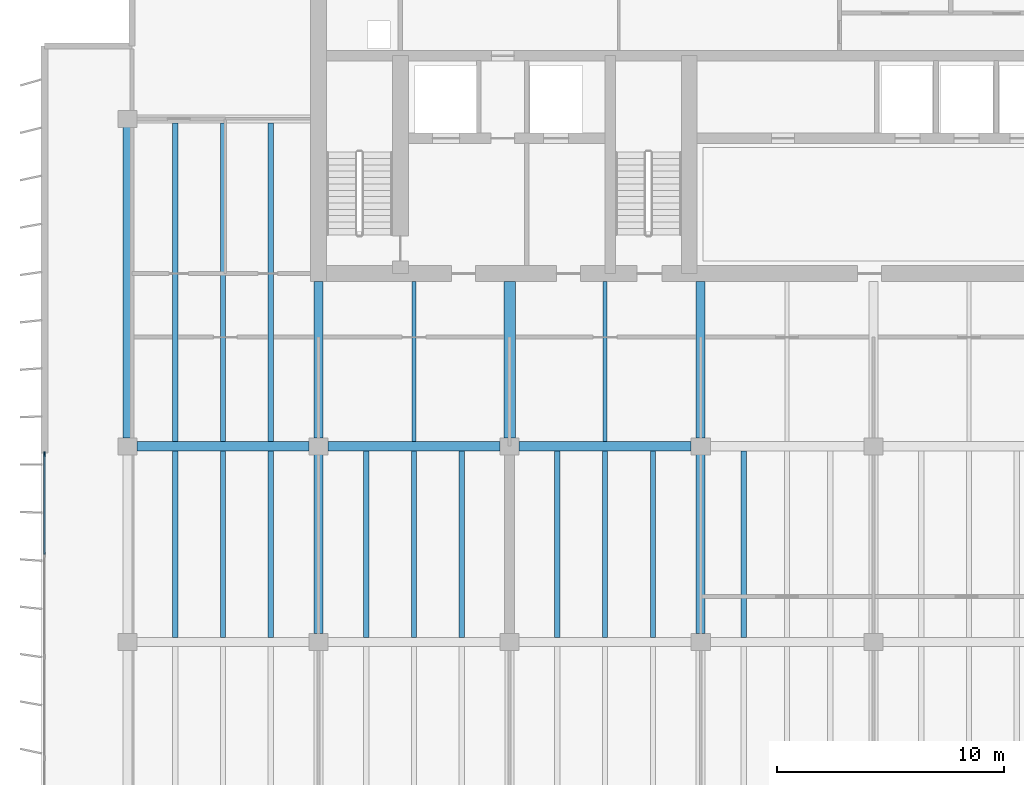
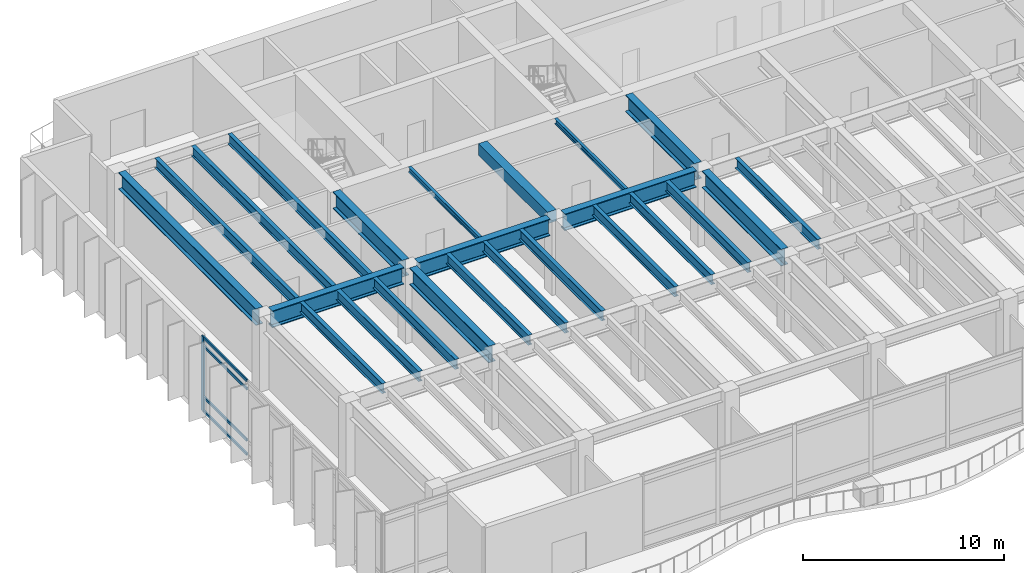
# One storey, part 3 of 15: 24 beams, 5 members, 1 element without a shape of its own.
"""IFC4 building model written with IfcOpenShell, lengths in metres."""

from ifc_helpers import new_model, si_unit, direction, frame, origin, origin_2d, place, context, subcontext, project, spatial, rectangle, i_section, extrude, material, layer, layer_set, material_profile, profile_set, type_object, element, aggregate, save


model = new_model("IFC4")

# Units and contexts
model_context = context("Model", 3, precision=1e-05, world=origin(), true_north=direction((0.0, 1.0)))
body_context = subcontext(model_context, "Body", "Model", "MODEL_VIEW")
ifc_project = project(units=[si_unit("LENGTHUNIT", "METRE"), si_unit("AREAUNIT", "SQUARE_METRE"), si_unit("VOLUMEUNIT", "CUBIC_METRE"), si_unit("PLANEANGLEUNIT", "RADIAN"), si_unit("MASSUNIT", "GRAM", prefix="KILO")], contexts=[model_context])

# Site, building, storey
site_placement = place(None, origin())
site = spatial("IfcSite", under=ifc_project, at=site_placement, CompositionType="ELEMENT")
building_placement = place(site_placement, origin())
building = spatial("IfcBuilding", under=site, at=building_placement, Name="Caelmar Bay Residences", CompositionType="ELEMENT")
storey_placement = place(building_placement, frame((0.0, 0.0, 183.60009765625)))
storey = spatial("IfcBuildingStorey", under=building, at=storey_placement, Name="L51", CompositionType="ELEMENT", Elevation=183.60009765625)

# Beams
ifc_material_1 = material(Name="Steel ASTM A992 Grade 50", Category="steel")
ifc_material_profile_1 = material_profile(ifc_material_1, i_section(OverallWidth=0.404052734375, OverallDepth=1.02099609375, WebThickness=0.025390625, FlangeThickness=0.0458984375, FilletRadius=0.02294921875, at=origin_2d()), Name="W40X324")
ifc_profile_set_1 = profile_set([ifc_material_profile_1], Name="Steel ASTM A992 Grade 50")
beam_type_1 = type_object("IfcBeamType", Name="BM-GRD-W40X324", PredefinedType="BEAM", material=ifc_profile_set_1)
beam_1_placement = place(storey_placement, frame((10.31494140625, 29.39990234375, 4.039306640625), z_axis=(1.0, 0.0, 0.0), x_axis=(0.0, 1.0, 0.0)))
element("IfcBeam", 1, at=beam_1_placement, inside=storey, type_object=beam_type_1, Name="L51 East-West Girder Y=29.40 (9.9-18.3)", PredefinedType="BEAM", context=body_context, shape_type="SweptSolid", body=[
    extrude(i_section(OverallWidth=0.404052734375, OverallDepth=1.02099609375, WebThickness=0.025390625, FlangeThickness=0.0458984375, FilletRadius=0.02294921875, at=origin_2d()), origin(), (0.0, 0.0, 1.0), 7.570068359375),
])
beam_2_placement = place(storey_placement, frame((18.715087890625, 29.39990234375, 4.039306640625), z_axis=(1.0, 0.0, 0.0), x_axis=(0.0, 1.0, 0.0)))
element("IfcBeam", 2, at=beam_2_placement, inside=storey, type_object=beam_type_1, Name="L51 East-West Girder Y=29.40 (18.3-26.7)", PredefinedType="BEAM", context=body_context, shape_type="SweptSolid", body=[
    extrude(i_section(OverallWidth=0.404052734375, OverallDepth=1.02099609375, WebThickness=0.025390625, FlangeThickness=0.0458984375, FilletRadius=0.02294921875, at=origin_2d()), origin(), (0.0, 0.0, 1.0), 7.56982421875),
])
beam_3_placement = place(storey_placement, frame((27.114990234375, 29.39990234375, 4.039306640625), z_axis=(1.0, 0.0, 0.0), x_axis=(0.0, 1.0, 0.0)))
element("IfcBeam", 3, at=beam_3_placement, inside=storey, type_object=beam_type_1, Name="L51 East-West Girder Y=29.40 (26.7-35.1)", PredefinedType="BEAM", context=body_context, shape_type="SweptSolid", body=[
    extrude(i_section(OverallWidth=0.404052734375, OverallDepth=1.02099609375, WebThickness=0.025390625, FlangeThickness=0.0458984375, FilletRadius=0.02294921875, at=origin_2d()), origin(), (0.0, 0.0, 1.0), 7.570068359375),
])
beam_4_placement = place(storey_placement, frame((9.89990234375, 29.764892578125, 4.039306640625), z_axis=(0.0, 1.0, 0.0), x_axis=(-1.0, 0.0, 0.0)))
element("IfcBeam", 4, at=beam_4_placement, inside=storey, type_object=beam_type_1, Name="L51 North-South Girder X=9.90 (29.4-43.8)", PredefinedType="BEAM", context=body_context, shape_type="SweptSolid", body=[
    extrude(i_section(OverallWidth=0.404052734375, OverallDepth=1.02099609375, WebThickness=0.025390625, FlangeThickness=0.0458984375, FilletRadius=0.02294921875, at=origin_2d()), origin(), (0.0, 0.0, 1.0), 13.670166015625),
])
beam_5_placement = place(storey_placement, frame((18.300048828125, 29.764892578125, 4.039306640625), z_axis=(0.0, 1.0, 0.0), x_axis=(-1.0, 0.0, 0.0)))
element("IfcBeam", 5, at=beam_5_placement, inside=storey, type_object=beam_type_1, Name="L51 Core Tie Girder X=18.30", PredefinedType="BEAM", context=body_context, shape_type="SweptSolid", body=[
    extrude(i_section(OverallWidth=0.404052734375, OverallDepth=1.02099609375, WebThickness=0.025390625, FlangeThickness=0.0458984375, FilletRadius=0.02294921875, at=origin_2d()), origin(), (0.0, 0.0, 1.0), 6.885009765625),
])
beam_6_placement = place(storey_placement, frame((18.300048828125, 21.1650390625, 4.039306640625), z_axis=(0.0, 1.0, 0.0), x_axis=(-1.0, 0.0, 0.0)))
element("IfcBeam", 6, at=beam_6_placement, inside=storey, type_object=beam_type_1, Name="L51 North-South Girder X=18.30 (20.8-29.4)", PredefinedType="BEAM", context=body_context, shape_type="SweptSolid", body=[
    extrude(i_section(OverallWidth=0.404052734375, OverallDepth=1.02099609375, WebThickness=0.025390625, FlangeThickness=0.0458984375, FilletRadius=0.02294921875, at=origin_2d()), origin(), (0.0, 0.0, 1.0), 7.869873046875),
])
beam_7_placement = place(storey_placement, frame((35.10009765625, 29.764892578125, 4.039306640625), z_axis=(0.0, 1.0, 0.0), x_axis=(-1.0, 0.0, 0.0)))
element("IfcBeam", 7, at=beam_7_placement, inside=storey, type_object=beam_type_1, Name="L51 Core Tie Girder X=35.10", PredefinedType="BEAM", context=body_context, shape_type="SweptSolid", body=[
    extrude(i_section(OverallWidth=0.404052734375, OverallDepth=1.02099609375, WebThickness=0.025390625, FlangeThickness=0.0458984375, FilletRadius=0.02294921875, at=origin_2d()), origin(), (0.0, 0.0, 1.0), 6.885009765625),
])
beam_8_placement = place(storey_placement, frame((35.10009765625, 21.1650390625, 4.039306640625), z_axis=(0.0, 1.0, 0.0), x_axis=(-1.0, 0.0, 0.0)))
element("IfcBeam", 8, at=beam_8_placement, inside=storey, type_object=beam_type_1, Name="L51 North-South Girder X=35.10 (20.8-29.4)", PredefinedType="BEAM", context=body_context, shape_type="SweptSolid", body=[
    extrude(i_section(OverallWidth=0.404052734375, OverallDepth=1.02099609375, WebThickness=0.025390625, FlangeThickness=0.0458984375, FilletRadius=0.02294921875, at=origin_2d()), origin(), (0.0, 0.0, 1.0), 7.869873046875),
])
ifc_material_profile_2 = material_profile(ifc_material_1, i_section(OverallWidth=0.1650390625, OverallDepth=0.31005859375, WebThickness=0.005859375, FlangeThickness=0.009765625, FilletRadius=0.007568359375, at=origin_2d()), Name="W12X26")
ifc_profile_set_2 = profile_set([ifc_material_profile_2], Name="Steel ASTM A992 Grade 50")
beam_type_2 = type_object("IfcBeamType", Name="BM-JST-W12X26", PredefinedType="JOIST", material=ifc_profile_set_2)
for number, where, z_axis, x_axis, name in (
    (9, (22.5, 29.60205078125, 4.39501953125), (0.0, 1.0, 0.0), (-1.0, 0.0, 0.0), "L51 Core-Band Composite Joist 43"),
    (10, (30.89990234375, 29.60205078125, 4.39501953125), (0.0, 1.0, 0.0), (-1.0, 0.0, 0.0), "L51 Core-Band Composite Joist 44"),
):
    element("IfcBeam", number, at=place(storey_placement, frame(where, z_axis=z_axis, x_axis=x_axis)), inside=storey, type_object=beam_type_2, Name=name, PredefinedType="JOIST", context=body_context, shape_type="SweptSolid", body=[
        extrude(i_section(OverallWidth=0.1650390625, OverallDepth=0.31005859375, WebThickness=0.005859375, FlangeThickness=0.009765625, FilletRadius=0.007568359375, at=origin_2d()), origin(), (0.0, 0.0, 1.0), 7.0478515625),
    ])
ifc_material_profile_3 = material_profile(ifc_material_1, i_section(OverallWidth=0.22900390625, OverallDepth=0.612060546875, WebThickness=0.011962890625, FlangeThickness=0.01953125, FilletRadius=0.0126953125, at=origin_2d()), Name="W24X84")
ifc_profile_set_3 = profile_set([ifc_material_profile_3], Name="Steel ASTM A992 Grade 50")
beam_type_3 = type_object("IfcBeamType", Name="BM-JST-W24X84", PredefinedType="JOIST", material=ifc_profile_set_3)
for number, where, z_axis, x_axis, name in (
    (11, (12.0, 21.001953125, 4.243896484375), (0.0, 1.0, 0.0), (-1.0, 0.0, 0.0), "L51 Composite Floor Joist 22"),
    (12, (14.10009765625, 21.001953125, 4.243896484375), (0.0, 1.0, 0.0), (-1.0, 0.0, 0.0), "L51 Composite Floor Joist 23"),
    (13, (16.199951171875, 21.001953125, 4.243896484375), (0.0, 1.0, 0.0), (-1.0, 0.0, 0.0), "L51 Composite Floor Joist 24"),
    (14, (20.39990234375, 21.001953125, 4.243896484375), (0.0, 1.0, 0.0), (-1.0, 0.0, 0.0), "L51 Composite Floor Joist 25"),
    (15, (22.5, 21.001953125, 4.243896484375), (0.0, 1.0, 0.0), (-1.0, 0.0, 0.0), "L51 Composite Floor Joist 26"),
    (16, (24.60009765625, 21.001953125, 4.243896484375), (0.0, 1.0, 0.0), (-1.0, 0.0, 0.0), "L51 Composite Floor Joist 27"),
    (17, (28.800048828125, 21.001953125, 4.243896484375), (0.0, 1.0, 0.0), (-1.0, 0.0, 0.0), "L51 Composite Floor Joist 28"),
    (18, (30.89990234375, 21.001953125, 4.243896484375), (0.0, 1.0, 0.0), (-1.0, 0.0, 0.0), "L51 Composite Floor Joist 29"),
    (19, (33.0, 21.001953125, 4.243896484375), (0.0, 1.0, 0.0), (-1.0, 0.0, 0.0), "L51 Composite Floor Joist 30"),
    (20, (37.0, 21.001953125, 4.243896484375), (0.0, 1.0, 0.0), (-1.0, 0.0, 0.0), "L51 Composite Floor Joist 31"),
):
    element("IfcBeam", number, at=place(storey_placement, frame(where, z_axis=z_axis, x_axis=x_axis)), inside=storey, type_object=beam_type_3, Name=name, PredefinedType="JOIST", context=body_context, shape_type="SweptSolid", body=[
        extrude(i_section(OverallWidth=0.22900390625, OverallDepth=0.612060546875, WebThickness=0.011962890625, FlangeThickness=0.01953125, FilletRadius=0.0126953125, at=origin_2d()), origin(), (0.0, 0.0, 1.0), 8.196044921875),
    ])
for number, where, z_axis, x_axis, name in (
    (21, (12.0, 29.60205078125, 4.243896484375), (0.0, 1.0, 0.0), (-1.0, 0.0, 0.0), "L51 Composite Floor Joist 48"),
    (22, (14.10009765625, 29.60205078125, 4.243896484375), (0.0, 1.0, 0.0), (-1.0, 0.0, 0.0), "L51 Composite Floor Joist 49"),
    (23, (16.199951171875, 29.60205078125, 4.243896484375), (0.0, 1.0, 0.0), (-1.0, 0.0, 0.0), "L51 Composite Floor Joist 50"),
):
    element("IfcBeam", number, at=place(storey_placement, frame(where, z_axis=z_axis, x_axis=x_axis)), inside=storey, type_object=beam_type_3, Name=name, PredefinedType="JOIST", context=body_context, shape_type="SweptSolid", body=[
        extrude(i_section(OverallWidth=0.22900390625, OverallDepth=0.612060546875, WebThickness=0.011962890625, FlangeThickness=0.01953125, FilletRadius=0.0126953125, at=origin_2d()), origin(), (0.0, 0.0, 1.0), 14.02001953125),
    ])
ifc_material_2 = material(Name="Concrete f'c 55 MPa (8,000 psi)", Category="concrete")
ifc_material_profile_4 = material_profile(ifc_material_2, rectangle(XDim=0.5, YDim=0.699951171875, at=origin_2d()), Name="RC-BM-500X700")
ifc_profile_set_4 = profile_set([ifc_material_profile_4], Name="Concrete f'c 55 MPa (8,000 psi)")
beam_type_4 = type_object("IfcBeamType", Name="BM-RC-500X700", PredefinedType="LINTEL", material=ifc_profile_set_4)
beam_9_placement = place(storey_placement, frame((26.699951171875, 29.764892578125, 4.199951171875), z_axis=(0.0, 1.0, 0.0), x_axis=(-1.0, 0.0, 0.0)))
element("IfcBeam", 24, at=beam_9_placement, inside=storey, type_object=beam_type_4, Name="L51 Shear-Wall Corridor Coupling Lintel W5", PredefinedType="LINTEL", context=body_context, shape_type="SweptSolid", body=[
    extrude(rectangle(XDim=0.5, YDim=0.699951171875, at=origin_2d()), origin(), (0.0, 0.0, 1.0), 6.885009765625),
])

# Curtain wall, members
ifc_material_3 = material(Name="Anodised bronze aluminium 6063-T6 and laminated glass", Category="aluminium")
ifc_layer = layer(ifc_material_3, 0.179931640625)
ifc_layer_set = layer_set([ifc_layer], Name="Anodised bronze aluminium 6063-T6 and laminated glass")
curtain_wall_type = type_object("IfcCurtainWallType", Name="CW7-CRN", PredefinedType="NOTDEFINED", material=ifc_layer_set)
curtain_wall_placement = place(storey_placement, origin())
curtain_wall = element("IfcCurtainWall", 25, at=curtain_wall_placement, inside=storey, type_object=curtain_wall_type, Name="CW7 curtain wall L51", PredefinedType="NOTDEFINED")
ifc_material_4 = material(Name="Anodised bronze aluminium 6063-T6", Category="aluminium")
ifc_material_profile_5 = material_profile(ifc_material_4, rectangle(XDim=0.080078125, YDim=0.219970703125, at=origin_2d()), Name="CWM-80X220")
ifc_profile_set_5 = profile_set([ifc_material_profile_5], Name="Anodised bronze aluminium 6063-T6")
member_type_1 = type_object("IfcMemberType", Name="CWM-220", PredefinedType="MULLION", material=ifc_profile_set_5)
member_1_placement = place(storey_placement, frame((6.25, 29.06005859375, 0.0), z_axis=(0.0, 0.0, 1.0), x_axis=(-1.0, 0.0, 0.0)))
member_1 = element("IfcMember", 26, at=member_1_placement, type_object=member_type_1, Name="CW7 mullion 5", PredefinedType="MULLION", context=body_context, shape_type="SweptSolid", body=[
    extrude(rectangle(XDim=0.080078125, YDim=0.219970703125, at=origin_2d()), origin(), (0.0, 0.0, 1.0), 4.5498046875),
])
ifc_material_profile_6 = material_profile(ifc_material_4, rectangle(XDim=0.080078125, YDim=0.159912109375, at=origin_2d()), Name="CWT-80X160")
ifc_profile_set_6 = profile_set([ifc_material_profile_6], Name="Anodised bronze aluminium 6063-T6")
member_type_2 = type_object("IfcMemberType", Name="CWT-160", PredefinedType="NOTDEFINED", material=ifc_profile_set_6)
member_2_placement = place(storey_placement, frame((6.25, 24.6650390625, 0.039794921875), z_axis=(0.0, 1.0, 0.0), x_axis=(-1.0, 0.0, 0.0)))
member_2 = element("IfcMember", 27, at=member_2_placement, type_object=member_type_2, Name="CW7 transom 4.1", ObjectType="TRANSOM", PredefinedType="USERDEFINED", context=body_context, shape_type="SweptSolid", body=[
    extrude(rectangle(XDim=0.080078125, YDim=0.159912109375, at=origin_2d()), origin(), (0.0, 0.0, 1.0), 4.35498046875),
])
member_3_placement = place(storey_placement, frame((6.25, 24.6650390625, 0.89990234375), z_axis=(0.0, 1.0, 0.0), x_axis=(-1.0, 0.0, 0.0)))
member_3 = element("IfcMember", 28, at=member_3_placement, type_object=member_type_2, Name="CW7 transom 4.2", ObjectType="TRANSOM", PredefinedType="USERDEFINED", context=body_context, shape_type="SweptSolid", body=[
    extrude(rectangle(XDim=0.080078125, YDim=0.159912109375, at=origin_2d()), origin(), (0.0, 0.0, 1.0), 4.35498046875),
])
member_4_placement = place(storey_placement, frame((6.25, 24.6650390625, 4.0), z_axis=(0.0, 1.0, 0.0), x_axis=(-1.0, 0.0, 0.0)))
member_4 = element("IfcMember", 29, at=member_4_placement, type_object=member_type_2, Name="CW7 transom 4.3", ObjectType="TRANSOM", PredefinedType="USERDEFINED", context=body_context, shape_type="SweptSolid", body=[
    extrude(rectangle(XDim=0.080078125, YDim=0.159912109375, at=origin_2d()), origin(), (0.0, 0.0, 1.0), 4.35498046875),
])
member_5_placement = place(storey_placement, frame((6.25, 24.6650390625, 4.510009765625), z_axis=(0.0, 1.0, 0.0), x_axis=(-1.0, 0.0, 0.0)))
member_5 = element("IfcMember", 30, at=member_5_placement, type_object=member_type_2, Name="CW7 transom 4.4", ObjectType="TRANSOM", PredefinedType="USERDEFINED", context=body_context, shape_type="SweptSolid", body=[
    extrude(rectangle(XDim=0.080078125, YDim=0.159912109375, at=origin_2d()), origin(), (0.0, 0.0, 1.0), 4.35498046875),
])
aggregate(curtain_wall, [member_1, member_2, member_3, member_4, member_5])

save(model, "model.ifc")
